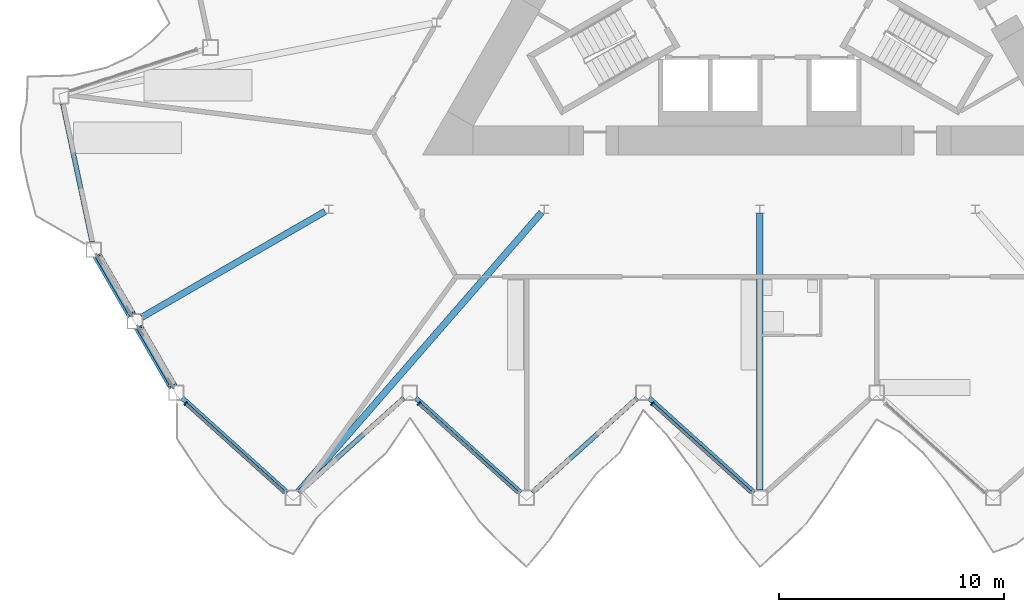
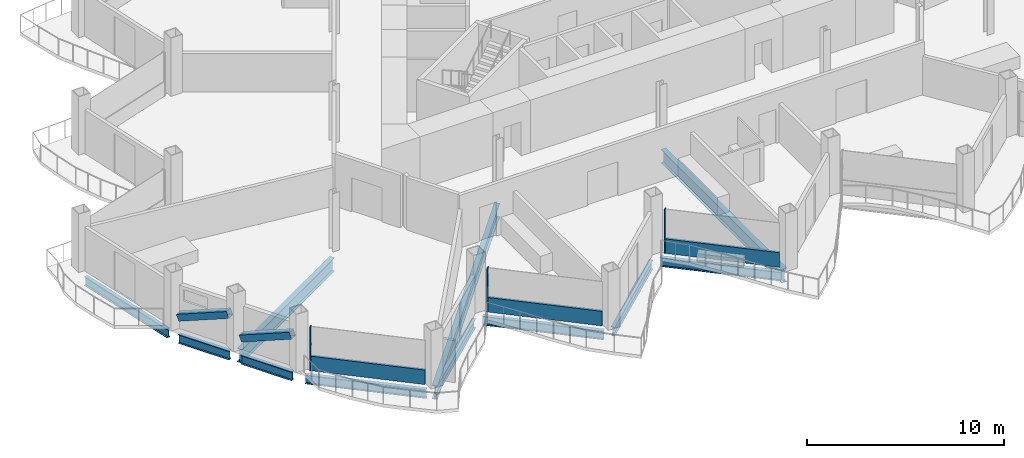
# One storey, part 4 of 24: 11 beams, 8 members, 3 elements without a shape of their own.
"""IFC4 building model written with IfcOpenShell, lengths in metres."""

from ifc_helpers import new_model, si_unit, direction, frame, origin, origin_2d, place, context, subcontext, project, spatial, rectangle, hollow_rectangle, i_section, extrude, material, layer, layer_set, material_profile, profile_set, type_object, element, aggregate, save


model = new_model("IFC4")

# Units and contexts
model_context = context("Model", 3, precision=1e-05, world=origin(), true_north=direction((0.0, 1.0)))
body_context = subcontext(model_context, "Body", "Model", "MODEL_VIEW")
ifc_project = project(units=[si_unit("LENGTHUNIT", "METRE"), si_unit("AREAUNIT", "SQUARE_METRE"), si_unit("VOLUMEUNIT", "CUBIC_METRE"), si_unit("PLANEANGLEUNIT", "RADIAN"), si_unit("MASSUNIT", "GRAM", prefix="KILO")], contexts=[model_context])

# Site, building, storey
site_placement = place(None, origin())
site = spatial("IfcSite", under=ifc_project, at=site_placement, CompositionType="ELEMENT")
building_placement = place(site_placement, origin())
building = spatial("IfcBuilding", under=site, at=building_placement, Name="Cormorant Prow Tower", CompositionType="ELEMENT")
storey_placement = place(building_placement, frame((0.0, 0.0, 270.60009765625)))
storey = spatial("IfcBuildingStorey", under=building, at=storey_placement, Name="L61", CompositionType="ELEMENT", Elevation=270.60009765625)

# Members
ifc_material_1 = material(Name="Structural steel ASTM A500 Gr C", Category="steel")
ifc_material_profile_1 = material_profile(ifc_material_1, hollow_rectangle(XDim=0.406494140625, YDim=0.406494140625, WallThickness=0.01171875, at=origin_2d()), Name="HSS16x16x1/2")
ifc_profile_set_1 = profile_set([ifc_material_profile_1], Name="Structural steel ASTM A500 Gr C")
member_type_1 = type_object("IfcMemberType", Name="Chamfer brace HSS16x16x1/2", PredefinedType="BRACE", material=ifc_profile_set_1)
for number, where, z_axis, x_axis, name in (
    (1, (-29.4287109375, -13.174560546875, 0.74951171875), (0.462773096913, -0.801606962687, 0.378506721399), (0.866041729639, 0.499971721724, 0.0), "Chamfer brace BR2 at WSW00 L61"),
    (2, (-27.593505859375, -16.353271484375, 0.74951171875), (0.462773096913, -0.801606962687, 0.378506721399), (0.866041729639, 0.499971721724, 0.0), "Chamfer brace BR2 at WSW01 L61"),
):
    element("IfcMember", number, at=place(storey_placement, frame(where, z_axis=z_axis, x_axis=x_axis)), inside=storey, type_object=member_type_1, Name=name, PredefinedType="BRACE", context=body_context, shape_type="SweptSolid", body=[
        extrude(hollow_rectangle(XDim=0.406494140625, YDim=0.406494140625, WallThickness=0.01171875, at=origin_2d()), origin(), (0.0, 0.0, 1.0), 3.17529296875),
    ])

# Curtain wall, member
ifc_material_2 = material(Name="Aluminium 6063-T6", Category="aluminium")
ifc_layer = layer(ifc_material_2, 0.179931640625)
ifc_layer_set = layer_set([ifc_layer], Name="Aluminium 6063-T6")
curtain_wall_type = type_object("IfcCurtainWallType", Name="Hotel unitised curtain wall 180", PredefinedType="NOTDEFINED", material=ifc_layer_set)
curtain_wall_1_placement = place(storey_placement, origin())
curtain_wall_1 = element("IfcCurtainWall", 3, at=curtain_wall_1_placement, inside=storey, type_object=curtain_wall_type, Name="Hotel curtain wall S00", PredefinedType="NOTDEFINED")
ifc_material_3 = material(Name="Aluminium 6063-T6", Category="aluminium")
ifc_material_profile_2 = material_profile(ifc_material_3, rectangle(XDim=0.179931640625, YDim=0.06005859375, at=origin_2d()), Name="Hotel mullion 60x180")
ifc_profile_set_2 = profile_set([ifc_material_profile_2], Name="Aluminium 6063-T6")
member_type_2 = type_object("IfcMemberType", Name="Hotel mullion 60x180", PredefinedType="MULLION", material=ifc_profile_set_2)
member_1_placement = place(storey_placement, frame((-25.531494140625, -19.701904296875, 0.0), z_axis=(0.0, 0.0, 1.0), x_axis=(0.669130609926, 0.743144822266, 0.0)))
member_1 = element("IfcMember", 4, at=member_1_placement, type_object=member_type_2, Name="Hotel mullion S00", PredefinedType="MULLION", context=body_context, shape_type="SweptSolid", body=[
    extrude(rectangle(XDim=0.179931640625, YDim=0.06005859375, at=origin_2d()), origin(), (0.0, 0.0, 1.0), 2.70068359375),
])

curtain_wall_2_placement = place(storey_placement, origin())
curtain_wall_2 = element("IfcCurtainWall", 5, at=curtain_wall_2_placement, inside=storey, type_object=curtain_wall_type, Name="Hotel curtain wall S02", PredefinedType="NOTDEFINED")
member_2_placement = place(storey_placement, frame((-15.1611328125, -19.701904296875, 0.0), z_axis=(0.0, 0.0, 1.0), x_axis=(0.669130538654, 0.743144886439, 0.0)))
member_2 = element("IfcMember", 6, at=member_2_placement, type_object=member_type_2, Name="Hotel mullion S02", PredefinedType="MULLION", context=body_context, shape_type="SweptSolid", body=[
    extrude(rectangle(XDim=0.179931640625, YDim=0.06005859375, at=origin_2d()), origin(), (0.0, 0.0, 1.0), 2.70068359375),
])

curtain_wall_3_placement = place(storey_placement, origin())
curtain_wall_3 = element("IfcCurtainWall", 7, at=curtain_wall_3_placement, inside=storey, type_object=curtain_wall_type, Name="Hotel curtain wall S04", PredefinedType="NOTDEFINED")
member_3_placement = place(storey_placement, frame((-4.79052734375, -19.701904296875, 0.0), z_axis=(0.0, 0.0, 1.0), x_axis=(0.669130609926, 0.743144822266, 0.0)))
member_3 = element("IfcMember", 8, at=member_3_placement, type_object=member_type_2, Name="Hotel mullion S04", PredefinedType="MULLION", context=body_context, shape_type="SweptSolid", body=[
    extrude(rectangle(XDim=0.179931640625, YDim=0.06005859375, at=origin_2d()), origin(), (0.0, 0.0, 1.0), 2.70068359375),
])

# Member
ifc_material_4 = material(Name="Terracotta", Category="masonry")
ifc_material_profile_3 = material_profile(ifc_material_4, rectangle(XDim=0.139892578125, YDim=0.89990234375, at=origin_2d()), Name="Hotel terracotta spandrel rail 140x900")
ifc_profile_set_3 = profile_set([ifc_material_profile_3], Name="Terracotta")
member_type_3 = type_object("IfcMemberType", Name="Hotel terracotta spandrel rail 140x900", PredefinedType="USERDEFINED", material=ifc_profile_set_3)
member_4_placement = place(storey_placement, frame((-25.509033203125, -19.721923828125, 0.449951171875), z_axis=(0.743119680004, -0.669158532181, 0.0), x_axis=(0.669158532181, 0.743119680004, 0.0)))
member_4 = element("IfcMember", 9, at=member_4_placement, type_object=member_type_3, Name="Hotel spandrel rail S00", ObjectType="TRANSOM", PredefinedType="USERDEFINED", context=body_context, shape_type="SweptSolid", body=[
    extrude(rectangle(XDim=0.139892578125, YDim=0.89990234375, at=origin_2d()), origin(), (0.0, 0.0, 1.0), 5.915283203125),
])

aggregate(curtain_wall_1, [member_1, member_4])

member_5_placement = place(storey_placement, frame((-15.138671875, -19.721923828125, 0.449951171875), z_axis=(0.743138160078, -0.669138008961, 0.0), x_axis=(0.669138008961, 0.743138160078, 0.0)))
member_5 = element("IfcMember", 10, at=member_5_placement, type_object=member_type_3, Name="Hotel spandrel rail S02", ObjectType="TRANSOM", PredefinedType="USERDEFINED", context=body_context, shape_type="SweptSolid", body=[
    extrude(rectangle(XDim=0.139892578125, YDim=0.89990234375, at=origin_2d()), origin(), (0.0, 0.0, 1.0), 5.91552734375),
])

aggregate(curtain_wall_2, [member_2, member_5])

member_6_placement = place(storey_placement, frame((-4.768310546875, -19.721923828125, 0.449951171875), z_axis=(0.743138160078, -0.669138008961, 0.0), x_axis=(0.669138008961, 0.743138160078, 0.0)))
member_6 = element("IfcMember", 11, at=member_6_placement, type_object=member_type_3, Name="Hotel spandrel rail S04", ObjectType="TRANSOM", PredefinedType="USERDEFINED", context=body_context, shape_type="SweptSolid", body=[
    extrude(rectangle(XDim=0.139892578125, YDim=0.89990234375, at=origin_2d()), origin(), (0.0, 0.0, 1.0), 5.91552734375),
])

aggregate(curtain_wall_3, [member_3, member_6])

# Beams
ifc_material_5 = material(Name="Structural steel ASTM A992 Gr 50", Category="steel")
ifc_material_profile_4 = material_profile(ifc_material_5, i_section(OverallWidth=0.29296875, OverallDepth=0.845703125, WebThickness=0.015380859375, FlangeThickness=0.0244140625, at=origin_2d()), Name="W33x141")
ifc_profile_set_4 = profile_set([ifc_material_profile_4], Name="Structural steel ASTM A992 Gr 50")
beam_type_1 = type_object("IfcBeamType", Name="Radial floor beam W33x141", PredefinedType="BEAM", material=ifc_profile_set_4)
beam_1_placement = place(storey_placement, frame((-19.32958984375, -11.159912109375, -0.77294921875), z_axis=(-0.866021726843, -0.500006368596, 0.0), x_axis=(0.500006368596, -0.866021726843, 0.0)))
element("IfcBeam", 12, at=beam_1_placement, inside=storey, type_object=beam_type_1, Name="Radial floor beam FB2 5 L61", PredefinedType="BEAM", context=body_context, shape_type="SweptSolid", body=[
    extrude(i_section(OverallWidth=0.29296875, OverallDepth=0.845703125, WebThickness=0.015380859375, FlangeThickness=0.0244140625, at=origin_2d()), origin(), (0.0, 0.0, 1.0), 9.40380859375),
])
beam_2_placement = place(storey_placement, frame((-9.70947265625, -11.210693359375, -0.77294921875), z_axis=(-0.656874593387, -0.753999846527, 0.0), x_axis=(0.753999846527, -0.656874593387, 0.0)))
element("IfcBeam", 13, at=beam_2_placement, inside=storey, type_object=beam_type_1, Name="Radial floor beam FB2 6 L61", PredefinedType="BEAM", context=body_context, shape_type="SweptSolid", body=[
    extrude(i_section(OverallWidth=0.29296875, OverallDepth=0.845703125, WebThickness=0.015380859375, FlangeThickness=0.0244140625, at=origin_2d()), origin(), (0.0, 0.0, 1.0), 16.4619140625),
])
beam_3_placement = place(storey_placement, frame((0.0, -11.259765625, -0.77294921875), z_axis=(0.0, -1.0, 0.0), x_axis=(1.0, 0.0, 0.0)))
element("IfcBeam", 14, at=beam_3_placement, inside=storey, type_object=beam_type_1, Name="Radial floor beam FB2 7 L61", PredefinedType="BEAM", context=body_context, shape_type="SweptSolid", body=[
    extrude(i_section(OverallWidth=0.29296875, OverallDepth=0.845703125, WebThickness=0.015380859375, FlangeThickness=0.0244140625, at=origin_2d()), origin(), (0.0, 0.0, 1.0), 12.277099609375),
])
ifc_material_6 = material(Name="Structural steel ASTM A992 Gr 50", Category="steel")
ifc_material_profile_5 = material_profile(ifc_material_6, i_section(OverallWidth=0.2138671875, OverallDepth=0.549072265625, WebThickness=0.0146484375, FlangeThickness=0.023681640625, at=origin_2d()), Name="W21x93")
ifc_profile_set_5 = profile_set([ifc_material_profile_5], Name="Structural steel ASTM A992 Gr 50")
beam_type_2 = type_object("IfcBeamType", Name="Spandrel beam W21x93", PredefinedType="SPANDREL", material=ifc_profile_set_5)
for number, where, z_axis, x_axis, name in (
    (15, (-25.68115234375, -19.44970703125, -0.624755859375), (0.743156918576, -0.669117175368, 0.0), (0.669117175368, 0.743156918576, 0.0), "Spandrel beam SB2 S00-S01 L61"),
    (16, (-20.492919921875, -23.65283203125, -0.624755859375), (0.743156918576, 0.669117175368, 0.0), (-0.669117175368, 0.743156918576, 0.0), "Spandrel beam SB2 S01-S02 L61"),
    (17, (-15.3046875, -19.44970703125, -0.624755859375), (0.743156918576, -0.669117175368, 0.0), (0.669117175368, 0.743156918576, 0.0), "Spandrel beam SB2 S02-S03 L61"),
    (18, (-10.116455078125, -23.65283203125, -0.624755859375), (0.743156918576, 0.669117175368, 0.0), (-0.669117175368, 0.743156918576, 0.0), "Spandrel beam SB2 S03-S04 L61"),
    (19, (-4.92822265625, -19.44970703125, -0.624755859375), (0.743156918576, -0.669117175368, 0.0), (0.669117175368, 0.743156918576, 0.0), "Spandrel beam SB2 S04-S05 L61"),
):
    element("IfcBeam", number, at=place(storey_placement, frame(where, z_axis=z_axis, x_axis=x_axis)), inside=storey, type_object=beam_type_2, Name=name, PredefinedType="SPANDREL", context=body_context, shape_type="SweptSolid", body=[
        extrude(i_section(OverallWidth=0.2138671875, OverallDepth=0.549072265625, WebThickness=0.0146484375, FlangeThickness=0.023681640625, at=origin_2d()), origin(), (0.0, 0.0, 1.0), 6.281494140625),
    ])
beam_4_placement = place(storey_placement, frame((-30.990478515625, -6.37158203125, -0.624755859375), z_axis=(0.207941499013, -0.978141264331, 0.0), x_axis=(0.978141264331, 0.207941499013, 0.0)))
element("IfcBeam", 20, at=beam_4_placement, inside=storey, type_object=beam_type_2, Name="Spandrel beam SB2 WNW09-WSW00 L61", PredefinedType="SPANDREL", context=body_context, shape_type="SweptSolid", body=[
    extrude(i_section(OverallWidth=0.2138671875, OverallDepth=0.549072265625, WebThickness=0.0146484375, FlangeThickness=0.023681640625, at=origin_2d()), origin(), (0.0, 0.0, 1.0), 6.28125),
])
for number, where, z_axis, x_axis, name in (
    (21, (-29.4365234375, -13.1611328125, -0.624755859375), (0.499966725515, -0.866044613965, 0.0), (0.866044613965, 0.499966725515, 0.0), "Spandrel beam SB2 WSW00-WSW01 L61"),
    (22, (-27.601318359375, -16.33984375, -0.624755859375), (0.499966725515, -0.866044613965, 0.0), (0.866044613965, 0.499966725515, 0.0), "Spandrel beam SB2 WSW01-S00 L61"),
):
    element("IfcBeam", number, at=place(storey_placement, frame(where, z_axis=z_axis, x_axis=x_axis)), inside=storey, type_object=beam_type_2, Name=name, PredefinedType="SPANDREL", context=body_context, shape_type="SweptSolid", body=[
        extrude(i_section(OverallWidth=0.2138671875, OverallDepth=0.549072265625, WebThickness=0.0146484375, FlangeThickness=0.023681640625, at=origin_2d()), origin(), (0.0, 0.0, 1.0), 2.970458984375),
    ])

save(model, "model.ifc")
